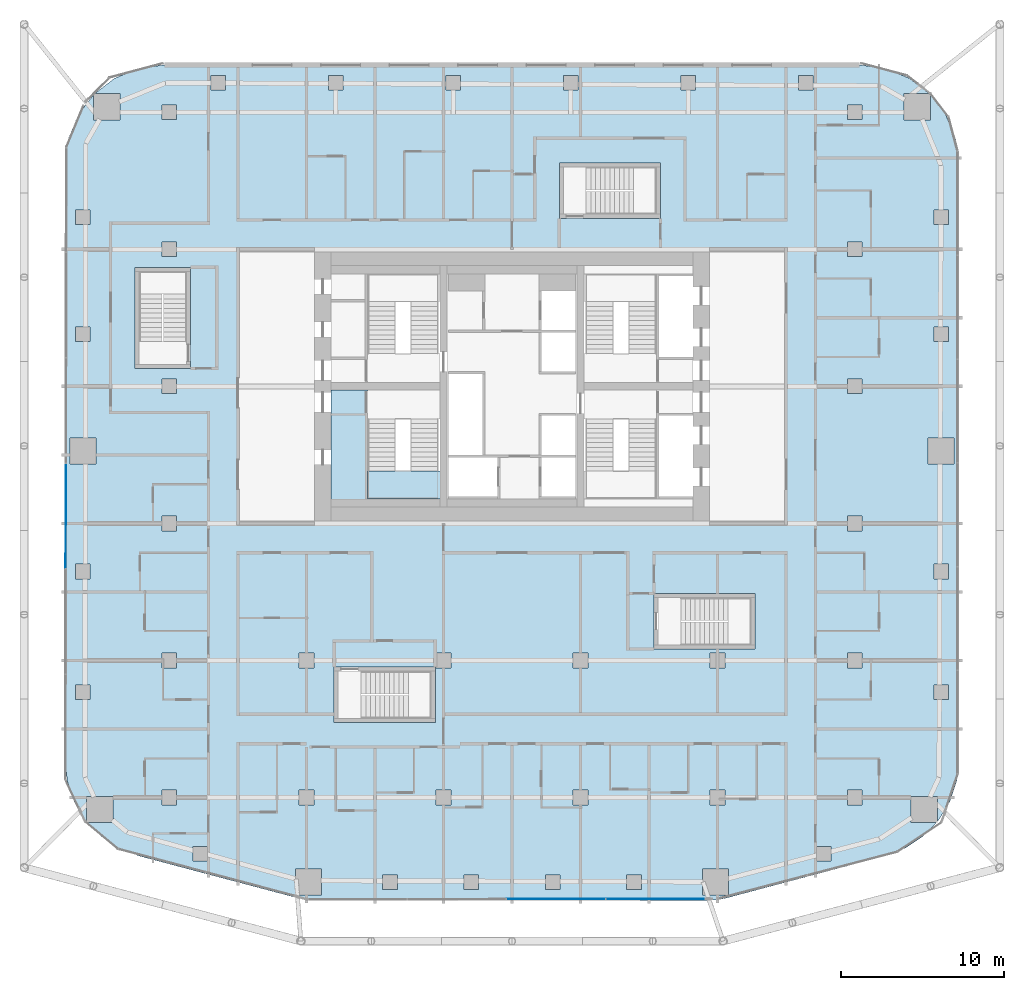
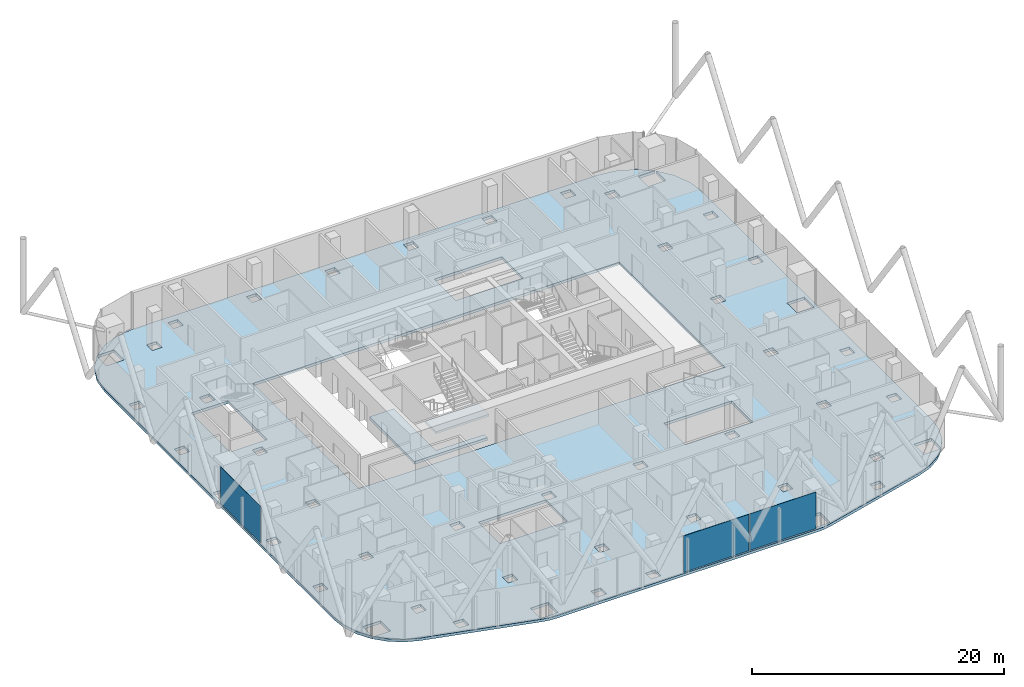
# One storey, part 19 of 33: 3 plates, 3 slabs, 3 elements without a shape of their own.
"""IFC4 building model written with IfcOpenShell, lengths in metres."""

from ifc_helpers import new_model, si_unit, direction, frame, origin, origin_2d, place, context, subcontext, project, spatial, polyline, rectangle, outline, extrude, material, layer, layer_set, type_object, element, aggregate, save


model = new_model("IFC4")

# Units and contexts
model_context = context("Model", 3, precision=1e-05, world=origin(), true_north=direction((0.0, 1.0)))
body_context = subcontext(model_context, "Body", "Model", "MODEL_VIEW")
ifc_project = project(units=[si_unit("LENGTHUNIT", "METRE"), si_unit("AREAUNIT", "SQUARE_METRE"), si_unit("VOLUMEUNIT", "CUBIC_METRE"), si_unit("PLANEANGLEUNIT", "RADIAN"), si_unit("MASSUNIT", "GRAM", prefix="KILO")], contexts=[model_context])

# Site, building, storey
site_placement = place(None, origin())
site = spatial("IfcSite", under=ifc_project, at=site_placement, CompositionType="ELEMENT")
building_placement = place(site_placement, origin())
building = spatial("IfcBuilding", under=site, at=building_placement, Name="Marenta Gate Hotel Tower", CompositionType="ELEMENT")
storey_placement = place(building_placement, frame((0.0, 0.0, 108.5)))
storey = spatial("IfcBuildingStorey", under=building, at=storey_placement, Name="L23", CompositionType="ELEMENT", Elevation=108.5)

# Slabs
ifc_material_1 = material(Name="Concrete C35", Category="concrete")
ifc_layer_1 = layer(ifc_material_1, 0.260009765625)
ifc_layer_set_1 = layer_set([ifc_layer_1], Name="Concrete C35")
slab_type_1 = type_object("IfcSlabType", Name="Concrete floor slab 260", PredefinedType="FLOOR", material=ifc_layer_set_1)
slab_1_placement = place(storey_placement, frame((0.0, 0.0, -0.260009765625)))
element("IfcSlab", 1, at=slab_1_placement, inside=storey, type_object=slab_type_1, Name="L23-SL-1", PredefinedType="FLOOR", context=body_context, shape_type="SweptSolid", body=[
    extrude(outline(polyline([(-25.213623046875, -19.1640625), (-26.011474609375, -18.3330078125), (-24.462890625, -18.3330078125), (-24.462890625, -16.73291015625), (-26.06298828125, -16.73291015625), (-26.06298828125, -18.279296875), (-26.13525390625, -18.2041015625), (-26.826904296875, -17.06689453125), (-27.25537109375, -15.80712890625), (-27.39990234375, -14.48974609375), (-27.39990234375, 22.006591796875), (-27.193115234375, 23.5791015625), (-26.58349609375, 25.050537109375), (-25.635498046875, 26.285888671875), (-25.635498046875, 24.735595703125), (-24.035400390625, 24.735595703125), (-24.035400390625, 26.33544921875), (-25.585693359375, 26.33544921875), (-24.350341796875, 27.283447265625), (-22.87890625, 27.89306640625), (-21.306640625, 28.10009765625), (21.306640625, 28.10009765625), (22.87890625, 27.89306640625), (24.350341796875, 27.283447265625), (25.585693359375, 26.33544921875), (24.035400390625, 26.33544921875), (24.035400390625, 24.735595703125), (25.635498046875, 24.735595703125), (25.635498046875, 26.285888671875), (26.58349609375, 25.050537109375), (27.193115234375, 23.5791015625), (27.39990234375, 22.006591796875), (27.39990234375, -14.48974609375), (27.25537109375, -15.80712890625), (26.826904296875, -17.06689453125), (26.13525390625, -18.2041015625), (26.06298828125, -18.279296875), (26.06298828125, -16.73291015625), (24.462890625, -16.73291015625), (24.462890625, -18.3330078125), (26.011474609375, -18.3330078125), (25.213623046875, -19.1640625), (24.105712890625, -19.9013671875), (22.86962890625, -20.37890625), (13.126708984375, -22.963623046875), (12.608642578125, -23.065673828125), (12.08154296875, -23.10009765625), (-12.08154296875, -23.10009765625), (-12.608642578125, -23.065673828125), (-13.126708984375, -22.963623046875), (-22.86962890625, -20.37890625), (-24.105712890625, -19.9013671875), (-25.213623046875, -19.1640625)]), holes=[polyline([(-16.800048828125, 0.0), (16.800048828125, 0.0), (16.800048828125, 16.800048828125), (-16.800048828125, 16.800048828125), (-16.800048828125, 0.0)]), polyline([(-18.65673828125, -19.7890625), (-19.556884765625, -19.7890625), (-19.556884765625, -20.689208984375), (-18.65673828125, -20.689208984375), (-18.65673828125, -19.7890625)]), polyline([(-20.550048828125, -17.25), (-20.550048828125, -16.35009765625), (-21.449951171875, -16.35009765625), (-21.449951171875, -17.25), (-20.550048828125, -17.25)]), polyline([(-12.14990234375, -16.35009765625), (-13.050048828125, -16.35009765625), (-13.050048828125, -17.25), (-12.14990234375, -17.25), (-12.14990234375, -16.35009765625)]), polyline([(-25.85009765625, -10.802001953125), (-25.85009765625, -9.90185546875), (-26.75, -9.90185546875), (-26.75, -10.802001953125), (-25.85009765625, -10.802001953125)]), polyline([(-20.550048828125, -8.85009765625), (-20.550048828125, -7.949951171875), (-21.449951171875, -7.949951171875), (-21.449951171875, -8.85009765625), (-20.550048828125, -8.85009765625)]), polyline([(-25.85009765625, -2.5009765625), (-26.75, -2.5009765625), (-26.75, -3.40087890625), (-25.85009765625, -3.40087890625), (-25.85009765625, -2.5009765625)]), polyline([(-20.550048828125, -0.449951171875), (-20.550048828125, 0.449951171875), (-21.449951171875, 0.449951171875), (-21.449951171875, -0.449951171875), (-20.550048828125, -0.449951171875)]), polyline([(-25.5, 3.64990234375), (-25.5, 5.25), (-27.10009765625, 5.25), (-27.10009765625, 3.64990234375), (-25.5, 3.64990234375)]), polyline([(-20.550048828125, 8.85009765625), (-21.449951171875, 8.85009765625), (-21.449951171875, 7.949951171875), (-20.550048828125, 7.949951171875), (-20.550048828125, 8.85009765625)]), polyline([(-25.85009765625, 11.1533203125), (-25.85009765625, 12.05322265625), (-26.75, 12.05322265625), (-26.75, 11.1533203125), (-25.85009765625, 11.1533203125)]), polyline([(-20.550048828125, 16.35009765625), (-20.550048828125, 17.25), (-21.449951171875, 17.25), (-21.449951171875, 16.35009765625), (-20.550048828125, 16.35009765625)]), polyline([(-25.85009765625, 19.206298828125), (-26.75, 19.206298828125), (-26.75, 18.306396484375), (-25.85009765625, 18.306396484375), (-25.85009765625, 19.206298828125)]), polyline([(-20.550048828125, 24.75), (-20.550048828125, 25.64990234375), (-21.449951171875, 25.64990234375), (-21.449951171875, 24.75), (-20.550048828125, 24.75)]), polyline([(-17.556884765625, 27.449951171875), (-18.456787109375, 27.449951171875), (-18.456787109375, 26.550048828125), (-17.556884765625, 26.550048828125), (-17.556884765625, 27.449951171875)]), polyline([(-7.030029296875, -22.449951171875), (-7.030029296875, -21.550048828125), (-7.93017578125, -21.550048828125), (-7.93017578125, -22.449951171875), (-7.030029296875, -22.449951171875)]), polyline([(-2.04345703125, -22.449951171875), (-2.04345703125, -21.550048828125), (-2.943359375, -21.550048828125), (-2.943359375, -22.449951171875), (-2.04345703125, -22.449951171875)]), polyline([(2.943359375, -21.550048828125), (2.04345703125, -21.550048828125), (2.04345703125, -22.449951171875), (2.943359375, -22.449951171875), (2.943359375, -21.550048828125)]), polyline([(7.93017578125, -22.449951171875), (7.93017578125, -21.550048828125), (7.030029296875, -21.550048828125), (7.030029296875, -22.449951171875), (7.93017578125, -22.449951171875)]), polyline([(-11.666259765625, -22.77490234375), (-11.666259765625, -21.1748046875), (-13.266357421875, -21.1748046875), (-13.266357421875, -22.77490234375), (-11.666259765625, -22.77490234375)]), polyline([(13.266357421875, -21.1748046875), (11.666259765625, -21.1748046875), (11.666259765625, -22.77490234375), (13.266357421875, -22.77490234375), (13.266357421875, -21.1748046875)]), polyline([(-3.75, -17.25), (-3.75, -16.35009765625), (-4.64990234375, -16.35009765625), (-4.64990234375, -17.25), (-3.75, -17.25)]), polyline([(4.64990234375, -17.25), (4.64990234375, -16.35009765625), (3.75, -16.35009765625), (3.75, -17.25), (4.64990234375, -17.25)]), polyline([(13.050048828125, -16.35009765625), (12.14990234375, -16.35009765625), (12.14990234375, -17.25), (13.050048828125, -17.25), (13.050048828125, -16.35009765625)]), polyline([(-12.14990234375, -8.85009765625), (-12.14990234375, -7.949951171875), (-13.050048828125, -7.949951171875), (-13.050048828125, -8.85009765625), (-12.14990234375, -8.85009765625)]), polyline([(-3.75, -8.85009765625), (-3.75, -7.949951171875), (-4.64990234375, -7.949951171875), (-4.64990234375, -8.85009765625), (-3.75, -8.85009765625)]), polyline([(4.64990234375, -7.949951171875), (3.75, -7.949951171875), (3.75, -8.85009765625), (4.64990234375, -8.85009765625), (4.64990234375, -7.949951171875)]), polyline([(-10.35400390625, 26.550048828125), (-10.35400390625, 27.449951171875), (-11.254150390625, 27.449951171875), (-11.254150390625, 26.550048828125), (-10.35400390625, 26.550048828125)]), polyline([(-3.1513671875, 26.550048828125), (-3.1513671875, 27.449951171875), (-4.051513671875, 27.449951171875), (-4.051513671875, 26.550048828125), (-3.1513671875, 26.550048828125)]), polyline([(4.051513671875, 27.449951171875), (3.1513671875, 27.449951171875), (3.1513671875, 26.550048828125), (4.051513671875, 26.550048828125), (4.051513671875, 27.449951171875)]), polyline([(11.254150390625, 26.550048828125), (11.254150390625, 27.449951171875), (10.35400390625, 27.449951171875), (10.35400390625, 26.550048828125), (11.254150390625, 26.550048828125)]), polyline([(19.556884765625, -20.689208984375), (19.556884765625, -19.7890625), (18.65673828125, -19.7890625), (18.65673828125, -20.689208984375), (19.556884765625, -20.689208984375)]), polyline([(21.449951171875, -17.25), (21.449951171875, -16.35009765625), (20.550048828125, -16.35009765625), (20.550048828125, -17.25), (21.449951171875, -17.25)]), polyline([(26.75, -10.802001953125), (26.75, -9.90185546875), (25.85009765625, -9.90185546875), (25.85009765625, -10.802001953125), (26.75, -10.802001953125)]), polyline([(13.050048828125, -7.949951171875), (12.14990234375, -7.949951171875), (12.14990234375, -8.85009765625), (13.050048828125, -8.85009765625), (13.050048828125, -7.949951171875)]), polyline([(21.449951171875, -8.85009765625), (21.449951171875, -7.949951171875), (20.550048828125, -7.949951171875), (20.550048828125, -8.85009765625), (21.449951171875, -8.85009765625)]), polyline([(26.75, -3.40087890625), (26.75, -2.5009765625), (25.85009765625, -2.5009765625), (25.85009765625, -3.40087890625), (26.75, -3.40087890625)]), polyline([(21.449951171875, 0.449951171875), (20.550048828125, 0.449951171875), (20.550048828125, -0.449951171875), (21.449951171875, -0.449951171875), (21.449951171875, 0.449951171875)]), polyline([(27.10009765625, 3.64990234375), (27.10009765625, 5.25), (25.5, 5.25), (25.5, 3.64990234375), (27.10009765625, 3.64990234375)]), polyline([(21.449951171875, 7.949951171875), (21.449951171875, 8.85009765625), (20.550048828125, 8.85009765625), (20.550048828125, 7.949951171875), (21.449951171875, 7.949951171875)]), polyline([(26.75, 12.05322265625), (25.85009765625, 12.05322265625), (25.85009765625, 11.1533203125), (26.75, 11.1533203125), (26.75, 12.05322265625)]), polyline([(21.449951171875, 16.35009765625), (21.449951171875, 17.25), (20.550048828125, 17.25), (20.550048828125, 16.35009765625), (21.449951171875, 16.35009765625)]), polyline([(26.75, 18.306396484375), (26.75, 19.206298828125), (25.85009765625, 19.206298828125), (25.85009765625, 18.306396484375), (26.75, 18.306396484375)]), polyline([(21.449951171875, 25.64990234375), (20.550048828125, 25.64990234375), (20.550048828125, 24.75), (21.449951171875, 24.75), (21.449951171875, 25.64990234375)]), polyline([(18.456787109375, 26.550048828125), (18.456787109375, 27.449951171875), (17.556884765625, 27.449951171875), (17.556884765625, 26.550048828125), (18.456787109375, 26.550048828125)]), polyline([(-10.89990234375, -12.199951171875), (-4.699951171875, -12.199951171875), (-4.699951171875, -8.800048828125), (-10.89990234375, -8.800048828125), (-10.89990234375, -12.199951171875)]), polyline([(8.699951171875, -7.699951171875), (14.89990234375, -7.699951171875), (14.89990234375, -4.300048828125), (8.699951171875, -4.300048828125), (8.699951171875, -7.699951171875)]), polyline([(-23.10009765625, 9.5), (-19.699951171875, 9.5), (-19.699951171875, 15.699951171875), (-23.10009765625, 15.699951171875), (-23.10009765625, 9.5)]), polyline([(2.89990234375, 18.699951171875), (9.10009765625, 18.699951171875), (9.10009765625, 22.10009765625), (2.89990234375, 22.10009765625), (2.89990234375, 18.699951171875)])]), origin(), (0.0, 0.0, 1.0), 0.260009765625),
])
ifc_material_2 = material(Name="Concrete C40", Category="concrete")
ifc_layer_2 = layer(ifc_material_2, 0.260009765625)
ifc_layer_set_2 = layer_set([ifc_layer_2], Name="Concrete C40")
slab_type_2 = type_object("IfcSlabType", Name="Core floor slab 260", PredefinedType="FLOOR", material=ifc_layer_set_2)
slab_2_placement = place(storey_placement, frame((0.0, 0.0, -0.260009765625)))
element("IfcSlab", 2, at=slab_2_placement, inside=storey, type_object=slab_type_2, Name="L23-CF-5", PredefinedType="FLOOR", context=body_context, shape_type="SweptSolid", body=[
    extrude(outline(polyline([(-8.85009765625, 8.175048828125), (-8.85009765625, 8.10009765625), (-8.85009765625, 6.39990234375), (-8.85009765625, 1.5), (-4.425048828125, 1.5), (-4.425048828125, 1.0), (-11.10009765625, 1.0), (-11.10009765625, 8.175048828125), (-8.85009765625, 8.175048828125)])), origin(), (0.0, 0.0, 1.0), 0.260009765625),
])

# Stair, slab
ifc_material_3 = material(Name="Concrete C40", Category="concrete")
stair_type = type_object("IfcStairType", Name="Core exit stair 1700 wide", PredefinedType="HALF_TURN_STAIR", material=ifc_material_3)
stair_placement = place(storey_placement, origin())
stair = element("IfcStair", 3, at=stair_placement, inside=storey, type_object=stair_type, Name="Exit stair 1", PredefinedType="HALF_TURN_STAIR")
ifc_material_4 = material(Name="Concrete C40", Category="concrete")
ifc_layer_3 = layer(ifc_material_4, 0.199951171875)
ifc_layer_set_3 = layer_set([ifc_layer_3], Name="Concrete C40")
slab_type_3 = type_object("IfcSlabType", Name="Core stair landing 200", PredefinedType="LANDING", material=ifc_layer_set_3)
slab_3_placement = place(storey_placement, frame((0.0, 0.0, 1.60009765625)))
slab_3 = element("IfcSlab", 4, at=slab_3_placement, type_object=slab_type_3, Name="SL-200 ST1 landing 1", PredefinedType="LANDING", context=body_context, shape_type="SweptSolid", body=[
    extrude(outline(polyline([(-8.85009765625, 1.5), (-3.97509765625, 1.5), (-3.97509765625, 3.2099609375), (-8.85009765625, 3.2099609375), (-8.85009765625, 1.5)])), origin(), (0.0, 0.0, 1.0), 0.199951171875),
])
aggregate(stair, [slab_3])

# Curtain wall, plate
ifc_material_5 = material(Name="Tinted insulated glass in bronze anodised frame", Category="glass")
ifc_layer_4 = layer(ifc_material_5, 0.1201171875)
ifc_layer_set_4 = layer_set([ifc_layer_4], Name="Tinted insulated glass in bronze anodised frame")
curtain_wall_type = type_object("IfcCurtainWallType", Name="Tower unitised curtain wall CW1", PredefinedType="NOTDEFINED", material=ifc_layer_set_4)
curtain_wall_1_placement = place(storey_placement, origin())
curtain_wall_1 = element("IfcCurtainWall", 5, at=curtain_wall_1_placement, inside=storey, type_object=curtain_wall_type, Name="CW1 run G04", PredefinedType="NOTDEFINED")
ifc_material_6 = material(Name="Tinted insulated glass", Category="glass")
ifc_layer_5 = layer(ifc_material_6, 0.028076171875)
ifc_layer_set_5 = layer_set([ifc_layer_5], Name="Tinted insulated glass")
plate_type = type_object("IfcPlateType", Name="Glass panel CW1 28 mm tinted insulated unit", PredefinedType="CURTAIN_PANEL", material=ifc_layer_set_5)
plate_1_placement = place(storey_placement, frame((-27.34765625, 0.456298828125, 0.06005859375), z_axis=(0.0, 0.0, 1.0), x_axis=(-0.001566045546, -0.99999877375, 0.0)))
plate_1 = element("IfcPlate", 6, at=plate_1_placement, type_object=plate_type, Name="CW1 panel 4.1", PredefinedType="CURTAIN_PANEL", context=body_context, shape_type="SweptSolid", body=[
    extrude(rectangle(XDim=6.39990234375, YDim=0.028076171875, at=origin_2d()), origin(), (0.0, 0.0, 1.0), 3.5400390625),
])
aggregate(curtain_wall_1, [plate_1])

# Curtain wall, plates
curtain_wall_2_placement = place(storey_placement, origin())
curtain_wall_2 = element("IfcCurtainWall", 7, at=curtain_wall_2_placement, inside=storey, type_object=curtain_wall_type, Name="CW1 run G12", PredefinedType="NOTDEFINED")
plate_2_placement = place(storey_placement, frame((2.69873046875, -23.02685546875, 0.06005859375), z_axis=(0.0, 0.0, 1.0), x_axis=(0.999999068791, 0.00136470383, 0.0)))
plate_2 = element("IfcPlate", 8, at=plate_2_placement, type_object=plate_type, Name="CW1 panel 3.1", PredefinedType="CURTAIN_PANEL", context=body_context, shape_type="SweptSolid", body=[
    extrude(rectangle(XDim=6.02197265625, YDim=0.028076171875, at=origin_2d()), origin(), (0.0, 0.0, 1.0), 3.5400390625),
])
plate_3_placement = place(storey_placement, frame((8.795654296875, -23.018310546875, 0.06005859375), z_axis=(0.0, 0.0, 1.0), x_axis=(0.999999068791, 0.00136470383, 0.0)))
plate_3 = element("IfcPlate", 9, at=plate_3_placement, type_object=plate_type, Name="CW1 panel 4.1", PredefinedType="CURTAIN_PANEL", context=body_context, shape_type="SweptSolid", body=[
    extrude(rectangle(XDim=6.052001953125, YDim=0.028076171875, at=origin_2d()), origin(), (0.0, 0.0, 1.0), 3.5400390625),
])
aggregate(curtain_wall_2, [plate_2, plate_3])

save(model, "model.ifc")
